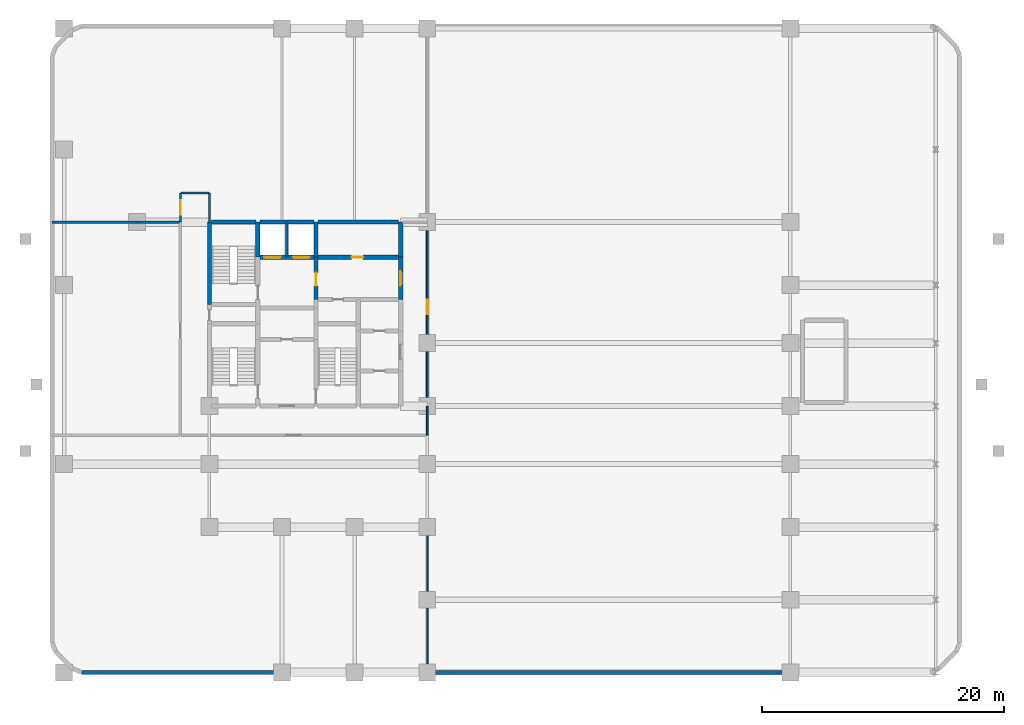
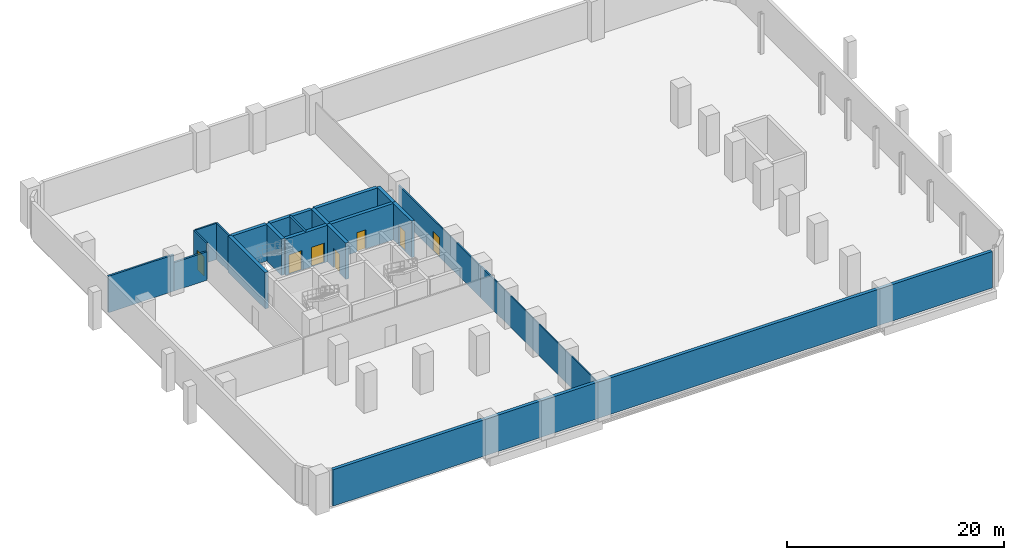
# One storey, part 5 of 7: 21 walls, 7 doors, 7 openings.
"""IFC4 building model written with IfcOpenShell, lengths in metres."""

from ifc_helpers import new_model, si_unit, direction, frame, frame_2d, origin, place, context, subcontext, project, spatial, rectangle, extrude, material, layer, layer_set, type_object, element, fill, save


model = new_model("IFC4")

# Units and contexts
model_context = context("Model", 3, precision=1e-05, world=origin(), true_north=direction((0.0, 1.0)))
body_context = subcontext(model_context, "Body", "Model", "MODEL_VIEW")
ifc_project = project(units=[si_unit("LENGTHUNIT", "METRE"), si_unit("AREAUNIT", "SQUARE_METRE"), si_unit("VOLUMEUNIT", "CUBIC_METRE"), si_unit("PLANEANGLEUNIT", "RADIAN"), si_unit("MASSUNIT", "GRAM", prefix="KILO")], contexts=[model_context])

# Site, building, storey
site_placement = place(None, origin())
site = spatial("IfcSite", under=ifc_project, at=site_placement, CompositionType="ELEMENT")
building_placement = place(site_placement, origin())
building = spatial("IfcBuilding", under=site, at=building_placement, Name="Keshet Zoharim Tower", CompositionType="ELEMENT")
storey_placement = place(building_placement, frame((0.0, 0.0, -4.5)))
storey = spatial("IfcBuildingStorey", under=building, at=storey_placement, Name="B1", CompositionType="ELEMENT", Elevation=-4.5)

# Wall, opening, door
ifc_material_1 = material(Name="Gypsum Plasterboard", Category="gypsum")
ifc_layer_1 = layer(ifc_material_1, 0.14990234375)
ifc_layer_set_1 = layer_set([ifc_layer_1], Name="Gypsum Plasterboard")
wall_type_1 = type_object("IfcWallType", Name="WL-CLIN-150", PredefinedType="STANDARD", material=ifc_layer_set_1)
wall_1_placement = place(storey_placement, frame((12.60009765625, 37.89990234375, 0.0), z_axis=(0.0, 0.0, 1.0), x_axis=(0.0, 1.0, 0.0)))
wall_1 = element("IfcWall", 1, at=wall_1_placement, inside=storey, type_object=wall_type_1, Name="B1 Interior Wall 002", PredefinedType="STANDARD", context=body_context, shape_type="SweptSolid", body=[
    extrude(rectangle(XDim=2.400146484375, YDim=0.14990234375, at=frame_2d((1.2001953125, 0.0))), origin(), (0.0, 0.0, 1.0), 4.10009765625),
])
opening_1_placement = place(wall_1_placement, frame((0.60009765625, 0.0, 0.0)))
opening_1 = element("IfcOpeningElement", 2, at=opening_1_placement, cuts=wall_1, Name="Opening D-F612", PredefinedType="OPENING", context=body_context, shape_type="SweptSolid", body=[
    extrude(rectangle(XDim=1.199951171875, YDim=2.199951171875, at=frame_2d((0.60009765625, 1.10009765625))), frame((0.0, 0.0849609375, 0.0), z_axis=(0.0, -1.0, 0.0), x_axis=(1.0, 0.0, 0.0)), (0.0, 0.0, 1.0), 0.169921875),
])
ifc_material_2 = material(Name="Hardwood Timber", Category="wood")
door_type_1 = type_object("IfcDoorType", Name="DR-FD60-120", OperationType="NOTDEFINED", PredefinedType="DOOR", material=ifc_material_2)
door_1_placement = place(opening_1_placement, origin())
door_1 = element("IfcDoor", 3, at=door_1_placement, inside=storey, type_object=door_type_1, Name="B1 Compactor and Refuse Collection Room Fire Door", OperationType="SINGLE_SWING_RIGHT", OverallHeight=2.199951171875, OverallWidth=1.199951171875, PredefinedType="DOOR", context=body_context, shape_type="SweptSolid", body=[
    extrude(rectangle(XDim=1.199951171875, YDim=2.199951171875, at=frame_2d((0.60009765625, 1.10009765625))), frame((0.0, 0.02490234375, 0.0), z_axis=(0.0, -1.0, 0.0), x_axis=(1.0, 0.0, 0.0)), (0.0, 0.0, 1.0), 0.050048828125),
])
fill(opening_1, door_1)

# Walls
wall_2_placement = place(storey_placement, frame((15.0, 37.89990234375, 0.0), z_axis=(0.0, 0.0, 1.0), x_axis=(0.0, 1.0, 0.0)))
element("IfcWall", 4, at=wall_2_placement, inside=storey, type_object=wall_type_1, Name="B1 Interior Wall 006", PredefinedType="STANDARD", context=body_context, shape_type="SweptSolid", body=[
    extrude(rectangle(XDim=2.400146484375, YDim=0.14990234375, at=frame_2d((1.2001953125, 0.0))), origin(), (0.0, 0.0, 1.0), 4.10009765625),
])
wall_3_placement = place(storey_placement, frame((33.0, 20.300048828125, 0.0), z_axis=(0.0, 0.0, 1.0), x_axis=(0.0, 1.0, 0.0)))
element("IfcWall", 5, at=wall_3_placement, inside=storey, type_object=wall_type_1, Name="B1 Interior Wall 028", PredefinedType="STANDARD", context=body_context, shape_type="SweptSolid", body=[
    extrude(rectangle(XDim=2.39990234375, YDim=0.14990234375, at=frame_2d((1.199951171875, 0.0))), origin(), (0.0, 0.0, 1.0), 3.550048828125),
])
wall_4_placement = place(storey_placement, frame((12.659912109375, 40.300048828125, 0.0), z_axis=(0.0, 0.0, 1.0), x_axis=(1.0, 0.0, 0.0)))
element("IfcWall", 6, at=wall_4_placement, inside=storey, type_object=wall_type_1, Name="B1 Interior Wall 055", PredefinedType="STANDARD", context=body_context, shape_type="SweptSolid", body=[
    extrude(rectangle(XDim=2.280029296875, YDim=0.14990234375, at=frame_2d((1.14013671875, 0.0))), origin(), (0.0, 0.0, 1.0), 4.10009765625),
])

# Wall, opening, door
wall_5_placement = place(storey_placement, frame((33.0, 22.699951171875, 0.0), z_axis=(0.0, 0.0, 1.0), x_axis=(0.0, 1.0, 0.0)))
wall_5 = element("IfcWall", 7, at=wall_5_placement, inside=storey, type_object=wall_type_1, Name="B1 Interior Wall 028 Part 2", PredefinedType="STANDARD", context=body_context, shape_type="SweptSolid", body=[
    extrude(rectangle(XDim=15.199951171875, YDim=0.14990234375, at=frame_2d((7.60009765625, 0.0))), origin(), (0.0, 0.0, 1.0), 3.5),
])
opening_2_placement = place(wall_5_placement, frame((7.574951171875, 0.0, 0.0)))
opening_2 = element("IfcOpeningElement", 8, at=opening_2_placement, cuts=wall_5, Name="Opening D-F612", PredefinedType="OPENING", context=body_context, shape_type="SweptSolid", body=[
    extrude(rectangle(XDim=1.199951171875, YDim=2.199951171875, at=frame_2d((0.60009765625, 1.10009765625))), frame((0.0, 0.0849609375, 0.0), z_axis=(0.0, -1.0, 0.0), x_axis=(1.0, 0.0, 0.0)), (0.0, 0.0, 1.0), 0.169921875),
])
door_2_placement = place(opening_2_placement, origin())
door_2 = element("IfcDoor", 9, at=door_2_placement, inside=storey, type_object=door_type_1, Name="B1 Accessible Basement Car Park Fire Door", OperationType="SINGLE_SWING_RIGHT", OverallHeight=2.199951171875, OverallWidth=1.199951171875, PredefinedType="DOOR", context=body_context, shape_type="SweptSolid", body=[
    extrude(rectangle(XDim=1.199951171875, YDim=2.199951171875, at=frame_2d((0.60009765625, 1.10009765625))), frame((0.0, 0.02490234375, 0.0), z_axis=(0.0, -1.0, 0.0), x_axis=(1.0, 0.0, 0.0)), (0.0, 0.0, 1.0), 0.050048828125),
])
fill(opening_2, door_2)

# Walls
ifc_material_3 = material(Name="Concrete C60/75", Category="concrete")
ifc_layer_2 = layer(ifc_material_3, 0.35009765625)
ifc_layer_set_2 = layer_set([ifc_layer_2], Name="Concrete C60/75")
wall_type_2 = type_object("IfcWallType", Name="WL-CORE-350", PredefinedType="SHEAR", material=ifc_layer_set_2)
wall_6_placement = place(storey_placement, frame((15.0, 31.10009765625, 0.0), z_axis=(0.0, 0.0, 1.0), x_axis=(0.0, 1.0, 0.0)))
element("IfcWall", 10, at=wall_6_placement, inside=storey, type_object=wall_type_2, Name="B1 Core Shear Wall 005", PredefinedType="SHEAR", context=body_context, shape_type="SweptSolid", body=[
    extrude(rectangle(XDim=6.7998046875, YDim=0.35009765625, at=frame_2d((3.39990234375, 0.0))), origin(), (0.0, 0.0, 1.0), 4.10009765625),
])
wall_7_placement = place(storey_placement, frame((19.0, 35.0, 0.0), z_axis=(0.0, 0.0, 1.0), x_axis=(0.0, 1.0, 0.0)))
element("IfcWall", 11, at=wall_7_placement, inside=storey, type_object=wall_type_2, Name="B1 Core Shear Wall 010", PredefinedType="SHEAR", context=body_context, shape_type="SweptSolid", body=[
    extrude(rectangle(XDim=2.89990234375, YDim=0.35009765625, at=frame_2d((1.449951171875, 0.0))), origin(), (0.0, 0.0, 1.0), 4.10009765625),
])

# Wall, opening, door
wall_8_placement = place(storey_placement, frame((23.800048828125, 31.5, 0.0), z_axis=(0.0, 0.0, 1.0), x_axis=(0.0, 1.0, 0.0)))
wall_8 = element("IfcWall", 12, at=wall_8_placement, inside=storey, type_object=wall_type_2, Name="B1 Core Shear Wall 016", PredefinedType="SHEAR", context=body_context, shape_type="SweptSolid", body=[
    extrude(rectangle(XDim=3.5, YDim=0.35009765625, at=frame_2d((1.75, 0.0))), origin(), (0.0, 0.0, 1.0), 4.10009765625),
])
opening_3_placement = place(wall_8_placement, frame((1.126953125, 0.0, 0.0)))
opening_3 = element("IfcOpeningElement", 13, at=opening_3_placement, cuts=wall_8, Name="Opening D-F611", PredefinedType="OPENING", context=body_context, shape_type="SweptSolid", body=[
    extrude(rectangle(XDim=1.10009765625, YDim=2.14990234375, at=frame_2d((0.550048828125, 1.074951171875))), frame((0.0, 0.18505859375, 0.0), z_axis=(0.0, -1.0, 0.0), x_axis=(1.0, 0.0, 0.0)), (0.0, 0.0, 1.0), 0.3701171875),
])
door_type_2 = type_object("IfcDoorType", Name="DR-FD60-110", OperationType="NOTDEFINED", PredefinedType="DOOR", material=ifc_material_2)
door_3_placement = place(opening_3_placement, origin())
door_3 = element("IfcDoor", 14, at=door_3_placement, inside=storey, type_object=door_type_2, Name="B1 Firefighting Lobby Fire Door", OperationType="SINGLE_SWING_LEFT", OverallHeight=2.14990234375, OverallWidth=1.10009765625, PredefinedType="DOOR", context=body_context, shape_type="SweptSolid", body=[
    extrude(rectangle(XDim=1.10009765625, YDim=2.14990234375, at=frame_2d((0.550048828125, 1.074951171875))), frame((0.0, 0.02490234375, 0.0), z_axis=(0.0, -1.0, 0.0), x_axis=(1.0, 0.0, 0.0)), (0.0, 0.0, 1.0), 0.050048828125),
])
fill(opening_3, door_3)

# Wall
wall_9_placement = place(storey_placement, frame((23.800048828125, 35.0, 0.0), z_axis=(0.0, 0.0, 1.0), x_axis=(0.0, 1.0, 0.0)))
element("IfcWall", 15, at=wall_9_placement, inside=storey, type_object=wall_type_2, Name="B1 Core Shear Wall 017", PredefinedType="SHEAR", context=body_context, shape_type="SweptSolid", body=[
    extrude(rectangle(XDim=2.89990234375, YDim=0.35009765625, at=frame_2d((1.449951171875, 0.0))), origin(), (0.0, 0.0, 1.0), 4.10009765625),
])

# Wall, opening, door
wall_10_placement = place(storey_placement, frame((30.800048828125, 31.5, 0.0), z_axis=(0.0, 0.0, 1.0), x_axis=(0.0, 1.0, 0.0)))
wall_10 = element("IfcWall", 16, at=wall_10_placement, inside=storey, type_object=wall_type_2, Name="B1 Core Shear Wall 025", PredefinedType="SHEAR", context=body_context, shape_type="SweptSolid", body=[
    extrude(rectangle(XDim=3.5, YDim=0.35009765625, at=frame_2d((1.75, 0.0))), origin(), (0.0, 0.0, 1.0), 4.10009765625),
])
opening_4_placement = place(wall_10_placement, frame((1.14990234375, 0.0, 0.0)))
opening_4 = element("IfcOpeningElement", 17, at=opening_4_placement, cuts=wall_10, Name="Opening D-F612", PredefinedType="OPENING", context=body_context, shape_type="SweptSolid", body=[
    extrude(rectangle(XDim=1.199951171875, YDim=2.199951171875, at=frame_2d((0.60009765625, 1.10009765625))), frame((0.0, 0.18505859375, 0.0), z_axis=(0.0, -1.0, 0.0), x_axis=(1.0, 0.0, 0.0)), (0.0, 0.0, 1.0), 0.3701171875),
])
door_4_placement = place(opening_4_placement, origin())
door_4 = element("IfcDoor", 18, at=door_4_placement, inside=storey, type_object=door_type_1, Name="B1 North Lift Lobby East Fire Door", OperationType="SINGLE_SWING_LEFT", OverallHeight=2.199951171875, OverallWidth=1.199951171875, PredefinedType="DOOR", context=body_context, shape_type="SweptSolid", body=[
    extrude(rectangle(XDim=1.199951171875, YDim=2.199951171875, at=frame_2d((0.60009765625, 1.10009765625))), frame((0.0, 0.02490234375, 0.0), z_axis=(0.0, -1.0, 0.0), x_axis=(1.0, 0.0, 0.0)), (0.0, 0.0, 1.0), 0.050048828125),
])
fill(opening_4, door_4)

# Wall
wall_11_placement = place(storey_placement, frame((30.800048828125, 35.0, 0.0), z_axis=(0.0, 0.0, 1.0), x_axis=(0.0, 1.0, 0.0)))
element("IfcWall", 19, at=wall_11_placement, inside=storey, type_object=wall_type_2, Name="B1 Core Shear Wall 026", PredefinedType="SHEAR", context=body_context, shape_type="SweptSolid", body=[
    extrude(rectangle(XDim=2.89990234375, YDim=0.35009765625, at=frame_2d((1.449951171875, 0.0))), origin(), (0.0, 0.0, 1.0), 4.10009765625),
])

# Wall, openings, doors
wall_12_placement = place(storey_placement, frame((19.159912109375, 35.0, 0.0), z_axis=(0.0, 0.0, 1.0), x_axis=(1.0, 0.0, 0.0)))
wall_12 = element("IfcWall", 20, at=wall_12_placement, inside=storey, type_object=wall_type_2, Name="B1 Core Shear Wall 048", PredefinedType="SHEAR", context=body_context, shape_type="SweptSolid", body=[
    extrude(rectangle(XDim=4.47998046875, YDim=0.35009765625, at=frame_2d((2.239990234375, 0.0))), origin(), (0.0, 0.0, 1.0), 4.10009765625),
])
opening_5_placement = place(wall_12_placement, frame((0.364990234375, 0.0, 0.0)))
opening_5 = element("IfcOpeningElement", 21, at=opening_5_placement, cuts=wall_12, Name="Opening LD-02", PredefinedType="OPENING", context=body_context, shape_type="SweptSolid", body=[
    extrude(rectangle(XDim=1.35009765625, YDim=2.199951171875, at=frame_2d((0.675048828125, 1.10009765625))), frame((0.0, 0.18505859375, 0.0), z_axis=(0.0, -1.0, 0.0), x_axis=(1.0, 0.0, 0.0)), (0.0, 0.0, 1.0), 0.3701171875),
])
opening_6_placement = place(wall_12_placement, frame((2.764892578125, 0.0, 0.0)))
opening_6 = element("IfcOpeningElement", 22, at=opening_6_placement, cuts=wall_12, Name="Opening LD-02", PredefinedType="OPENING", context=body_context, shape_type="SweptSolid", body=[
    extrude(rectangle(XDim=1.35009765625, YDim=2.199951171875, at=frame_2d((0.675048828125, 1.10009765625))), frame((0.0, 0.18505859375, 0.0), z_axis=(0.0, -1.0, 0.0), x_axis=(1.0, 0.0, 0.0)), (0.0, 0.0, 1.0), 0.3701171875),
])
ifc_material_4 = material(Name="Steel S355", Category="steel")
door_type_3 = type_object("IfcDoorType", Name="DR-LD02-135", OperationType="DOUBLE_DOOR_SLIDING", PredefinedType="DOOR", material=ifc_material_4)
door_5_placement = place(opening_5_placement, origin())
door_5 = element("IfcDoor", 23, at=door_5_placement, inside=storey, type_object=door_type_3, Name="B1 Firefighting Lift Landing Door FF-01", OperationType="DOUBLE_DOOR_SLIDING", OverallHeight=2.199951171875, OverallWidth=1.35009765625, PredefinedType="DOOR", context=body_context, shape_type="SweptSolid", body=[
    extrude(rectangle(XDim=1.35009765625, YDim=2.199951171875, at=frame_2d((0.675048828125, 1.10009765625))), frame((0.0, 0.02490234375, 0.0), z_axis=(0.0, -1.0, 0.0), x_axis=(1.0, 0.0, 0.0)), (0.0, 0.0, 1.0), 0.050048828125),
])
fill(opening_5, door_5)
door_6_placement = place(opening_6_placement, origin())
door_6 = element("IfcDoor", 24, at=door_6_placement, inside=storey, type_object=door_type_3, Name="B1 Firefighting Lift Landing Door FF-02", OperationType="DOUBLE_DOOR_SLIDING", OverallHeight=2.199951171875, OverallWidth=1.35009765625, PredefinedType="DOOR", context=body_context, shape_type="SweptSolid", body=[
    extrude(rectangle(XDim=1.35009765625, YDim=2.199951171875, at=frame_2d((0.675048828125, 1.10009765625))), frame((0.0, 0.02490234375, 0.0), z_axis=(0.0, -1.0, 0.0), x_axis=(1.0, 0.0, 0.0)), (0.0, 0.0, 1.0), 0.050048828125),
])
fill(opening_6, door_6)

# Wall, opening, door
wall_13_placement = place(storey_placement, frame((23.9599609375, 35.0, 0.0), z_axis=(0.0, 0.0, 1.0), x_axis=(1.0, 0.0, 0.0)))
wall_13 = element("IfcWall", 25, at=wall_13_placement, inside=storey, type_object=wall_type_2, Name="B1 Core Shear Wall 049", PredefinedType="SHEAR", context=body_context, shape_type="SweptSolid", body=[
    extrude(rectangle(XDim=6.679931640625, YDim=0.35009765625, at=frame_2d((3.33984375, 0.0))), origin(), (0.0, 0.0, 1.0), 4.10009765625),
])
opening_7_placement = place(wall_13_placement, frame((2.7939453125, 0.0, 0.0)))
opening_7 = element("IfcOpeningElement", 26, at=opening_7_placement, cuts=wall_13, Name="Opening D-F695", PredefinedType="OPENING", context=body_context, shape_type="SweptSolid", body=[
    extrude(rectangle(XDim=0.949951171875, YDim=2.14990234375, at=frame_2d((0.47509765625, 1.074951171875))), frame((0.0, 0.18505859375, 0.0), z_axis=(0.0, -1.0, 0.0), x_axis=(1.0, 0.0, 0.0)), (0.0, 0.0, 1.0), 0.3701171875),
])
door_type_4 = type_object("IfcDoorType", Name="DR-FD60-095", OperationType="NOTDEFINED", PredefinedType="DOOR", material=ifc_material_2)
door_7_placement = place(opening_7_placement, frame((0.949951171875, 0.0, 0.0), z_axis=(0.0, 0.0, 1.0), x_axis=(-1.0, 0.0, 0.0)))
door_7 = element("IfcDoor", 27, at=door_7_placement, inside=storey, type_object=door_type_4, Name="B1 Low-Rise Lift Pit Door", OperationType="SINGLE_SWING_LEFT", OverallHeight=2.14990234375, OverallWidth=0.949951171875, PredefinedType="DOOR", context=body_context, shape_type="SweptSolid", body=[
    extrude(rectangle(XDim=0.949951171875, YDim=2.14990234375, at=frame_2d((0.47509765625, 1.074951171875))), frame((0.0, 0.02490234375, 0.0), z_axis=(0.0, -1.0, 0.0), x_axis=(1.0, 0.0, 0.0)), (0.0, 0.0, 1.0), 0.050048828125),
])
fill(opening_7, door_7)

# Walls
wall_14_placement = place(storey_placement, frame((15.159912109375, 37.89990234375, 0.0), z_axis=(0.0, 0.0, 1.0), x_axis=(1.0, 0.0, 0.0)))
element("IfcWall", 28, at=wall_14_placement, inside=storey, type_object=wall_type_2, Name="B1 Core Shear Wall 051", PredefinedType="SHEAR", context=body_context, shape_type="SweptSolid", body=[
    extrude(rectangle(XDim=3.68017578125, YDim=0.35009765625, at=frame_2d((1.840087890625, 0.0))), origin(), (0.0, 0.0, 1.0), 4.10009765625),
])
wall_15_placement = place(storey_placement, frame((19.159912109375, 37.89990234375, 0.0), z_axis=(0.0, 0.0, 1.0), x_axis=(1.0, 0.0, 0.0)))
element("IfcWall", 29, at=wall_15_placement, inside=storey, type_object=wall_type_2, Name="B1 Core Shear Wall 052", PredefinedType="SHEAR", context=body_context, shape_type="SweptSolid", body=[
    extrude(rectangle(XDim=4.47998046875, YDim=0.35009765625, at=frame_2d((2.239990234375, 0.0))), origin(), (0.0, 0.0, 1.0), 4.10009765625),
])
wall_16_placement = place(storey_placement, frame((23.9599609375, 37.89990234375, 0.0), z_axis=(0.0, 0.0, 1.0), x_axis=(1.0, 0.0, 0.0)))
element("IfcWall", 30, at=wall_16_placement, inside=storey, type_object=wall_type_2, Name="B1 Core Shear Wall 053", PredefinedType="SHEAR", context=body_context, shape_type="SweptSolid", body=[
    extrude(rectangle(XDim=6.679931640625, YDim=0.35009765625, at=frame_2d((3.33984375, 0.0))), origin(), (0.0, 0.0, 1.0), 4.10009765625),
])
ifc_material_5 = material(Name="Concrete C50/60", Category="concrete")
ifc_layer_3 = layer(ifc_material_5, 0.199951171875)
ifc_layer_set_3 = layer_set([ifc_layer_3], Name="Concrete C50/60")
wall_type_3 = type_object("IfcWallType", Name="WL-FIRE-200", PredefinedType="STANDARD", material=ifc_layer_set_3)
wall_17_placement = place(storey_placement, frame((21.39990234375, 35.0, 0.0), z_axis=(0.0, 0.0, 1.0), x_axis=(0.0, 1.0, 0.0)))
element("IfcWall", 31, at=wall_17_placement, inside=storey, type_object=wall_type_3, Name="B1 Interior Wall 011", PredefinedType="STANDARD", context=body_context, shape_type="SweptSolid", body=[
    extrude(rectangle(XDim=2.89990234375, YDim=0.199951171875, at=frame_2d((1.449951171875, 0.0))), origin(), (0.0, 0.0, 1.0), 4.10009765625),
])
wall_18_placement = place(storey_placement, frame((2.010009765625, 37.89990234375, 0.0), z_axis=(0.0, 0.0, 1.0), x_axis=(1.0, 0.0, 0.0)))
element("IfcWall", 32, at=wall_18_placement, inside=storey, type_object=wall_type_3, Name="B1 Interior Wall 050", PredefinedType="STANDARD", context=body_context, shape_type="SweptSolid", body=[
    extrude(rectangle(XDim=6.989990234375, YDim=0.199951171875, at=frame_2d((3.4951171875, 0.0))), origin(), (0.0, 0.0, 1.0), 4.10009765625),
])
wall_19_placement = place(storey_placement, frame((9.0, 37.89990234375, 0.0), z_axis=(0.0, 0.0, 1.0), x_axis=(1.0, 0.0, 0.0)))
element("IfcWall", 33, at=wall_19_placement, inside=storey, type_object=wall_type_3, Name="B1 Interior Wall 050 Part 2", PredefinedType="STANDARD", context=body_context, shape_type="SweptSolid", body=[
    extrude(rectangle(XDim=3.514892578125, YDim=0.199951171875, at=frame_2d((1.75732421875, 0.0))), origin(), (0.0, 0.0, 1.0), 3.199951171875),
])
ifc_layer_4 = layer(ifc_material_1, 0.1201171875)
ifc_layer_set_4 = layer_set([ifc_layer_4], Name="Gypsum Plasterboard")
wall_type_4 = type_object("IfcWallType", Name="WL-PART-120", PredefinedType="PARTITIONING", material=ifc_layer_set_4)
wall_20_placement = place(storey_placement, frame((33.0, 0.7099609375, 0.0), z_axis=(0.0, 0.0, 1.0), x_axis=(0.0, 1.0, 0.0)))
element("IfcWall", 34, at=wall_20_placement, inside=storey, type_object=wall_type_4, Name="B1 Interior Wall 027", PredefinedType="PARTITIONING", context=body_context, shape_type="SweptSolid", body=[
    extrude(rectangle(XDim=19.580078125, YDim=0.1201171875, at=frame_2d((9.7900390625, 0.0))), origin(), (0.0, 0.0, 1.0), 3.550048828125),
])
ifc_layer_5 = layer(ifc_material_5, 0.35009765625)
ifc_layer_set_5 = layer_set([ifc_layer_5], Name="Concrete C50/60")
wall_type_5 = type_object("IfcWallType", Name="WL-RET-350", PredefinedType="USERDEFINED", material=ifc_layer_set_5)
wall_21_placement = place(storey_placement, frame((74.5859375, 0.699951171875, 0.0), z_axis=(0.0, 0.0, 1.0), x_axis=(-1.0, 0.0, 0.0)))
element("IfcWall", 35, at=wall_21_placement, inside=storey, type_object=wall_type_5, Name="B1 Perimeter Retaining Wall 14", ObjectType="RETAINING", PredefinedType="USERDEFINED", context=body_context, shape_type="SweptSolid", body=[
    extrude(rectangle(XDim=70.171875, YDim=0.35009765625, at=frame_2d((35.0859375, 0.0))), origin(), (0.0, 0.0, 1.0), 4.10009765625),
])

save(model, "model.ifc")
